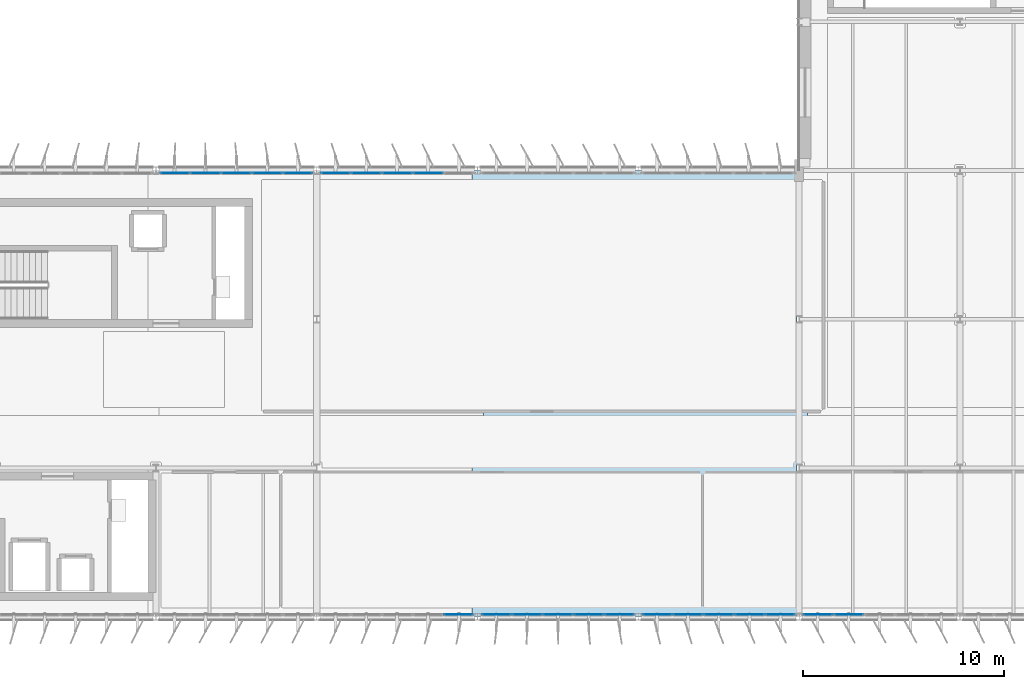
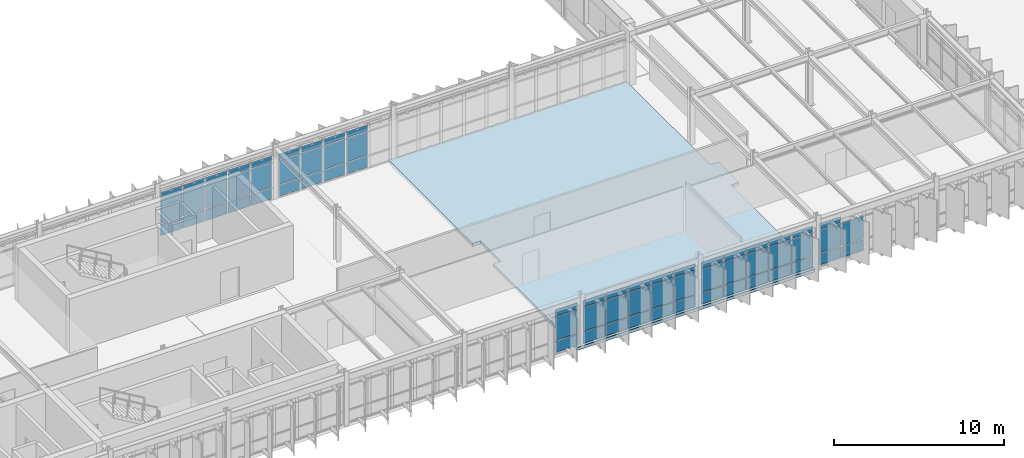
# One storey, part 27 of 45: 65 plates, 1 slab, 6 elements without a shape of their own.
"""IFC4 building model written with IfcOpenShell, lengths in metres."""

from ifc_helpers import new_model, si_unit, direction, frame, origin, origin_2d, place, context, subcontext, project, spatial, polyline, rectangle, outline, extrude, material, layer, layer_set, type_object, element, aggregate, save


model = new_model("IFC4")

# Units and contexts
model_context = context("Model", 3, precision=1e-05, world=origin(), true_north=direction((0.0, 1.0)))
body_context = subcontext(model_context, "Body", "Model", "MODEL_VIEW")
ifc_project = project(units=[si_unit("LENGTHUNIT", "METRE"), si_unit("AREAUNIT", "SQUARE_METRE"), si_unit("VOLUMEUNIT", "CUBIC_METRE"), si_unit("PLANEANGLEUNIT", "RADIAN"), si_unit("MASSUNIT", "GRAM", prefix="KILO")], contexts=[model_context])

# Site, building, storey
site_placement = place(None, origin())
site = spatial("IfcSite", under=ifc_project, at=site_placement, CompositionType="ELEMENT")
building_placement = place(site_placement, origin())
building = spatial("IfcBuilding", under=site, at=building_placement, Name="Valkorina Park Police Headquarters", CompositionType="ELEMENT")
storey_placement = place(building_placement, frame((0.0, 0.0, 23.300048828125)))
storey = spatial("IfcBuildingStorey", under=building, at=storey_placement, Name="L06", CompositionType="ELEMENT", Elevation=23.300048828125)

# Curtain wall, plates
ifc_material_1 = material(Name="Thermally broken aluminium AW-6060", Category="aluminium")
ifc_layer_1 = layer(ifc_material_1, 0.18994140625)
ifc_layer_set_1 = layer_set([ifc_layer_1], Name="Thermally broken aluminium AW-6060")
curtain_wall_type_1 = type_object("IfcCurtainWallType", Name="CW-V5-7680x3220", PredefinedType="NOTDEFINED", material=ifc_layer_set_1)
curtain_wall_1_placement = place(storey_placement, origin())
curtain_wall_1 = element("IfcCurtainWall", 1, at=curtain_wall_1_placement, inside=storey, type_object=curtain_wall_type_1, Name="L06 Unitised Curtain Wall 106", PredefinedType="NOTDEFINED")
ifc_layer_2 = layer(ifc_material_1, 0.050048828125)
ifc_layer_set_2 = layer_set([ifc_layer_2], Name="Thermally broken aluminium AW-6060")
plate_type_1 = type_object("IfcPlateType", Name="PL-CWP-SPANDREL-50", PredefinedType="CURTAIN_PANEL", material=ifc_layer_set_2)
plate_1_placement = place(storey_placement, frame((49.74560546875, 59.080078125, 0.070068359375), z_axis=(0.0, 0.0, 1.0), x_axis=(1.0, 0.0, 0.0)))
plate_1 = element("IfcPlate", 2, at=plate_1_placement, type_object=plate_type_1, Name="CW-V5-768-322 panel 1.1", PredefinedType="CURTAIN_PANEL", context=body_context, shape_type="SweptSolid", body=[
    extrude(rectangle(XDim=1.430908203125, YDim=0.028076171875, at=origin_2d()), origin(), (0.0, 0.0, 1.0), 0.794921875),
])
plate_2_placement = place(storey_placement, frame((51.263916015625, 59.080078125, 0.070068359375), z_axis=(0.0, 0.0, 1.0), x_axis=(1.0, 0.0, 0.0)))
plate_2 = element("IfcPlate", 3, at=plate_2_placement, type_object=plate_type_1, Name="CW-V5-768-322 panel 2.1", PredefinedType="CURTAIN_PANEL", context=body_context, shape_type="SweptSolid", body=[
    extrude(rectangle(XDim=1.466064453125, YDim=0.028076171875, at=origin_2d()), origin(), (0.0, 0.0, 1.0), 0.794921875),
])
plate_3_placement = place(storey_placement, frame((52.800048828125, 59.080078125, 0.070068359375), z_axis=(0.0, 0.0, 1.0), x_axis=(1.0, 0.0, 0.0)))
plate_3 = element("IfcPlate", 4, at=plate_3_placement, type_object=plate_type_1, Name="CW-V5-768-322 panel 3.1", PredefinedType="CURTAIN_PANEL", context=body_context, shape_type="SweptSolid", body=[
    extrude(rectangle(XDim=1.466064453125, YDim=0.028076171875, at=origin_2d()), origin(), (0.0, 0.0, 1.0), 0.794921875),
])
plate_4_placement = place(storey_placement, frame((54.3359375, 59.080078125, 0.070068359375), z_axis=(0.0, 0.0, 1.0), x_axis=(1.0, 0.0, 0.0)))
plate_4 = element("IfcPlate", 5, at=plate_4_placement, type_object=plate_type_1, Name="CW-V5-768-322 panel 4.1", PredefinedType="CURTAIN_PANEL", context=body_context, shape_type="SweptSolid", body=[
    extrude(rectangle(XDim=1.466064453125, YDim=0.028076171875, at=origin_2d()), origin(), (0.0, 0.0, 1.0), 0.794921875),
])
plate_5_placement = place(storey_placement, frame((55.8544921875, 59.080078125, 0.070068359375), z_axis=(0.0, 0.0, 1.0), x_axis=(1.0, 0.0, 0.0)))
plate_5 = element("IfcPlate", 6, at=plate_5_placement, type_object=plate_type_1, Name="CW-V5-768-322 panel 5.1", PredefinedType="CURTAIN_PANEL", context=body_context, shape_type="SweptSolid", body=[
    extrude(rectangle(XDim=1.430908203125, YDim=0.028076171875, at=origin_2d()), origin(), (0.0, 0.0, 1.0), 0.794921875),
])

ifc_layer_3 = layer(ifc_material_1, 0.18994140625)
ifc_layer_set_3 = layer_set([ifc_layer_3], Name="Thermally broken aluminium AW-6060")
curtain_wall_type_2 = type_object("IfcCurtainWallType", Name="CW-V5-7680x3170", PredefinedType="NOTDEFINED", material=ifc_layer_set_3)
curtain_wall_2_placement = place(storey_placement, origin())
curtain_wall_2 = element("IfcCurtainWall", 7, at=curtain_wall_2_placement, inside=storey, type_object=curtain_wall_type_2, Name="L06 Unitised Curtain Wall 107", PredefinedType="NOTDEFINED")
plate_6_placement = place(storey_placement, frame((57.74560546875, 59.080078125, 0.070068359375), z_axis=(0.0, 0.0, 1.0), x_axis=(1.0, 0.0, 0.0)))
plate_6 = element("IfcPlate", 8, at=plate_6_placement, type_object=plate_type_1, Name="CW-V5-768-317 panel 1.1", PredefinedType="CURTAIN_PANEL", context=body_context, shape_type="SweptSolid", body=[
    extrude(rectangle(XDim=1.430908203125, YDim=0.028076171875, at=origin_2d()), origin(), (0.0, 0.0, 1.0), 0.794921875),
])
plate_7_placement = place(storey_placement, frame((59.263916015625, 59.080078125, 0.070068359375), z_axis=(0.0, 0.0, 1.0), x_axis=(1.0, 0.0, 0.0)))
plate_7 = element("IfcPlate", 9, at=plate_7_placement, type_object=plate_type_1, Name="CW-V5-768-317 panel 2.1", PredefinedType="CURTAIN_PANEL", context=body_context, shape_type="SweptSolid", body=[
    extrude(rectangle(XDim=1.466064453125, YDim=0.028076171875, at=origin_2d()), origin(), (0.0, 0.0, 1.0), 0.794921875),
])
plate_8_placement = place(storey_placement, frame((60.800048828125, 59.080078125, 0.070068359375), z_axis=(0.0, 0.0, 1.0), x_axis=(1.0, 0.0, 0.0)))
plate_8 = element("IfcPlate", 10, at=plate_8_placement, type_object=plate_type_1, Name="CW-V5-768-317 panel 3.1", PredefinedType="CURTAIN_PANEL", context=body_context, shape_type="SweptSolid", body=[
    extrude(rectangle(XDim=1.466064453125, YDim=0.028076171875, at=origin_2d()), origin(), (0.0, 0.0, 1.0), 0.794921875),
])
plate_9_placement = place(storey_placement, frame((62.3359375, 59.080078125, 0.070068359375), z_axis=(0.0, 0.0, 1.0), x_axis=(1.0, 0.0, 0.0)))
plate_9 = element("IfcPlate", 11, at=plate_9_placement, type_object=plate_type_1, Name="CW-V5-768-317 panel 4.1", PredefinedType="CURTAIN_PANEL", context=body_context, shape_type="SweptSolid", body=[
    extrude(rectangle(XDim=1.466064453125, YDim=0.028076171875, at=origin_2d()), origin(), (0.0, 0.0, 1.0), 0.794921875),
])

ifc_layer_4 = layer(ifc_material_1, 0.18994140625)
ifc_layer_set_4 = layer_set([ifc_layer_4], Name="Thermally broken aluminium AW-6060")
curtain_wall_type_3 = type_object("IfcCurtainWallType", Name="CW-V5-7680x3110", PredefinedType="NOTDEFINED", material=ifc_layer_set_4)
curtain_wall_3_placement = place(storey_placement, origin())
curtain_wall_3 = element("IfcCurtainWall", 12, at=curtain_wall_3_placement, inside=storey, type_object=curtain_wall_type_3, Name="L06 Unitised Curtain Wall 122", PredefinedType="NOTDEFINED")
plate_10_placement = place(storey_placement, frame((83.263916015625, 37.1201171875, 0.070068359375), z_axis=(0.0, 0.0, 1.0), x_axis=(-1.0, 0.0, 0.0)))
plate_10 = element("IfcPlate", 13, at=plate_10_placement, type_object=plate_type_1, Name="CW-V5-768-311 panel 4.1", PredefinedType="CURTAIN_PANEL", context=body_context, shape_type="SweptSolid", body=[
    extrude(rectangle(XDim=1.466064453125, YDim=0.028076171875, at=origin_2d()), origin(), (0.0, 0.0, 1.0), 0.794921875),
])
plate_11_placement = place(storey_placement, frame((81.74560546875, 37.1201171875, 0.070068359375), z_axis=(0.0, 0.0, 1.0), x_axis=(-1.0, 0.0, 0.0)))
plate_11 = element("IfcPlate", 14, at=plate_11_placement, type_object=plate_type_1, Name="CW-V5-768-311 panel 5.1", PredefinedType="CURTAIN_PANEL", context=body_context, shape_type="SweptSolid", body=[
    extrude(rectangle(XDim=1.430908203125, YDim=0.028076171875, at=origin_2d()), origin(), (0.0, 0.0, 1.0), 0.794921875),
])

curtain_wall_4_placement = place(storey_placement, origin())
curtain_wall_4 = element("IfcCurtainWall", 15, at=curtain_wall_4_placement, inside=storey, type_object=curtain_wall_type_3, Name="L06 Unitised Curtain Wall 123", PredefinedType="NOTDEFINED")
plate_12_placement = place(storey_placement, frame((79.8544921875, 37.1201171875, 0.070068359375), z_axis=(0.0, 0.0, 1.0), x_axis=(-1.0, 0.0, 0.0)))
plate_12 = element("IfcPlate", 16, at=plate_12_placement, type_object=plate_type_1, Name="CW-V5-768-311 panel 1.1", PredefinedType="CURTAIN_PANEL", context=body_context, shape_type="SweptSolid", body=[
    extrude(rectangle(XDim=1.430908203125, YDim=0.028076171875, at=origin_2d()), origin(), (0.0, 0.0, 1.0), 0.794921875),
])
plate_13_placement = place(storey_placement, frame((78.3359375, 37.1201171875, 0.070068359375), z_axis=(0.0, 0.0, 1.0), x_axis=(-1.0, 0.0, 0.0)))
plate_13 = element("IfcPlate", 17, at=plate_13_placement, type_object=plate_type_1, Name="CW-V5-768-311 panel 2.1", PredefinedType="CURTAIN_PANEL", context=body_context, shape_type="SweptSolid", body=[
    extrude(rectangle(XDim=1.466064453125, YDim=0.028076171875, at=origin_2d()), origin(), (0.0, 0.0, 1.0), 0.794921875),
])
plate_14_placement = place(storey_placement, frame((76.800048828125, 37.1201171875, 0.070068359375), z_axis=(0.0, 0.0, 1.0), x_axis=(-1.0, 0.0, 0.0)))
plate_14 = element("IfcPlate", 18, at=plate_14_placement, type_object=plate_type_1, Name="CW-V5-768-311 panel 3.1", PredefinedType="CURTAIN_PANEL", context=body_context, shape_type="SweptSolid", body=[
    extrude(rectangle(XDim=1.466064453125, YDim=0.028076171875, at=origin_2d()), origin(), (0.0, 0.0, 1.0), 0.794921875),
])
plate_15_placement = place(storey_placement, frame((75.263916015625, 37.1201171875, 0.070068359375), z_axis=(0.0, 0.0, 1.0), x_axis=(-1.0, 0.0, 0.0)))
plate_15 = element("IfcPlate", 19, at=plate_15_placement, type_object=plate_type_1, Name="CW-V5-768-311 panel 4.1", PredefinedType="CURTAIN_PANEL", context=body_context, shape_type="SweptSolid", body=[
    extrude(rectangle(XDim=1.466064453125, YDim=0.028076171875, at=origin_2d()), origin(), (0.0, 0.0, 1.0), 0.794921875),
])
plate_16_placement = place(storey_placement, frame((73.74560546875, 37.1201171875, 0.070068359375), z_axis=(0.0, 0.0, 1.0), x_axis=(-1.0, 0.0, 0.0)))
plate_16 = element("IfcPlate", 20, at=plate_16_placement, type_object=plate_type_1, Name="CW-V5-768-311 panel 5.1", PredefinedType="CURTAIN_PANEL", context=body_context, shape_type="SweptSolid", body=[
    extrude(rectangle(XDim=1.430908203125, YDim=0.028076171875, at=origin_2d()), origin(), (0.0, 0.0, 1.0), 0.794921875),
])

curtain_wall_5_placement = place(storey_placement, origin())
curtain_wall_5 = element("IfcCurtainWall", 21, at=curtain_wall_5_placement, inside=storey, type_object=curtain_wall_type_2, Name="L06 Unitised Curtain Wall 124", PredefinedType="NOTDEFINED")
plate_17_placement = place(storey_placement, frame((71.8544921875, 37.1201171875, 0.070068359375), z_axis=(0.0, 0.0, 1.0), x_axis=(-1.0, 0.0, 0.0)))
plate_17 = element("IfcPlate", 22, at=plate_17_placement, type_object=plate_type_1, Name="CW-V5-768-317 panel 1.1", PredefinedType="CURTAIN_PANEL", context=body_context, shape_type="SweptSolid", body=[
    extrude(rectangle(XDim=1.430908203125, YDim=0.028076171875, at=origin_2d()), origin(), (0.0, 0.0, 1.0), 0.794921875),
])
plate_18_placement = place(storey_placement, frame((70.3359375, 37.1201171875, 0.070068359375), z_axis=(0.0, 0.0, 1.0), x_axis=(-1.0, 0.0, 0.0)))
plate_18 = element("IfcPlate", 23, at=plate_18_placement, type_object=plate_type_1, Name="CW-V5-768-317 panel 2.1", PredefinedType="CURTAIN_PANEL", context=body_context, shape_type="SweptSolid", body=[
    extrude(rectangle(XDim=1.466064453125, YDim=0.028076171875, at=origin_2d()), origin(), (0.0, 0.0, 1.0), 0.794921875),
])
plate_19_placement = place(storey_placement, frame((68.800048828125, 37.1201171875, 0.070068359375), z_axis=(0.0, 0.0, 1.0), x_axis=(-1.0, 0.0, 0.0)))
plate_19 = element("IfcPlate", 24, at=plate_19_placement, type_object=plate_type_1, Name="CW-V5-768-317 panel 3.1", PredefinedType="CURTAIN_PANEL", context=body_context, shape_type="SweptSolid", body=[
    extrude(rectangle(XDim=1.466064453125, YDim=0.028076171875, at=origin_2d()), origin(), (0.0, 0.0, 1.0), 0.794921875),
])
plate_20_placement = place(storey_placement, frame((67.263916015625, 37.1201171875, 0.070068359375), z_axis=(0.0, 0.0, 1.0), x_axis=(-1.0, 0.0, 0.0)))
plate_20 = element("IfcPlate", 25, at=plate_20_placement, type_object=plate_type_1, Name="CW-V5-768-317 panel 4.1", PredefinedType="CURTAIN_PANEL", context=body_context, shape_type="SweptSolid", body=[
    extrude(rectangle(XDim=1.466064453125, YDim=0.028076171875, at=origin_2d()), origin(), (0.0, 0.0, 1.0), 0.794921875),
])
plate_21_placement = place(storey_placement, frame((65.74560546875, 37.1201171875, 0.070068359375), z_axis=(0.0, 0.0, 1.0), x_axis=(-1.0, 0.0, 0.0)))
plate_21 = element("IfcPlate", 26, at=plate_21_placement, type_object=plate_type_1, Name="CW-V5-768-317 panel 5.1", PredefinedType="CURTAIN_PANEL", context=body_context, shape_type="SweptSolid", body=[
    extrude(rectangle(XDim=1.430908203125, YDim=0.028076171875, at=origin_2d()), origin(), (0.0, 0.0, 1.0), 0.794921875),
])

# Curtain wall, plate
curtain_wall_6_placement = place(storey_placement, origin())
curtain_wall_6 = element("IfcCurtainWall", 27, at=curtain_wall_6_placement, inside=storey, type_object=curtain_wall_type_2, Name="L06 Unitised Curtain Wall 125", PredefinedType="NOTDEFINED")
plate_22_placement = place(storey_placement, frame((63.8544921875, 37.1201171875, 0.070068359375), z_axis=(0.0, 0.0, 1.0), x_axis=(-1.0, 0.0, 0.0)))
plate_22 = element("IfcPlate", 28, at=plate_22_placement, type_object=plate_type_1, Name="CW-V5-768-317 panel 1.1", PredefinedType="CURTAIN_PANEL", context=body_context, shape_type="SweptSolid", body=[
    extrude(rectangle(XDim=1.430908203125, YDim=0.028076171875, at=origin_2d()), origin(), (0.0, 0.0, 1.0), 0.794921875),
])

# Plate
ifc_material_2 = material(Name="Triple low-E insulated glazing", Category="glass")
ifc_layer_5 = layer(ifc_material_2, 0.028076171875)
ifc_layer_set_5 = layer_set([ifc_layer_5], Name="Triple low-E insulated glazing")
plate_type_2 = type_object("IfcPlateType", Name="PL-CWP-VISION-28", PredefinedType="CURTAIN_PANEL", material=ifc_layer_set_5)
plate_23_placement = place(storey_placement, frame((49.74560546875, 59.080078125, 0.93505859375), z_axis=(0.0, 0.0, 1.0), x_axis=(1.0, 0.0, 0.0)))
plate_23 = element("IfcPlate", 29, at=plate_23_placement, type_object=plate_type_2, Name="CW-V5-768-322 panel 1.2", PredefinedType="CURTAIN_PANEL", context=body_context, shape_type="SweptSolid", body=[
    extrude(rectangle(XDim=1.430908203125, YDim=0.028076171875, at=origin_2d()), origin(), (0.0, 0.0, 1.0), 1.72998046875),
])

plate_24_placement = place(storey_placement, frame((49.74560546875, 59.080078125, 2.73486328125), z_axis=(0.0, 0.0, 1.0), x_axis=(1.0, 0.0, 0.0)))
plate_24 = element("IfcPlate", 30, at=plate_24_placement, type_object=plate_type_2, Name="CW-V5-768-322 panel 1.3", PredefinedType="CURTAIN_PANEL", context=body_context, shape_type="SweptSolid", body=[
    extrude(rectangle(XDim=1.430908203125, YDim=0.028076171875, at=origin_2d()), origin(), (0.0, 0.0, 1.0), 0.4150390625),
])

plate_25_placement = place(storey_placement, frame((51.263916015625, 59.080078125, 0.93505859375), z_axis=(0.0, 0.0, 1.0), x_axis=(1.0, 0.0, 0.0)))
plate_25 = element("IfcPlate", 31, at=plate_25_placement, type_object=plate_type_2, Name="CW-V5-768-322 panel 2.2", PredefinedType="CURTAIN_PANEL", context=body_context, shape_type="SweptSolid", body=[
    extrude(rectangle(XDim=1.466064453125, YDim=0.028076171875, at=origin_2d()), origin(), (0.0, 0.0, 1.0), 1.72998046875),
])

plate_26_placement = place(storey_placement, frame((51.263916015625, 59.080078125, 2.73486328125), z_axis=(0.0, 0.0, 1.0), x_axis=(1.0, 0.0, 0.0)))
plate_26 = element("IfcPlate", 32, at=plate_26_placement, type_object=plate_type_2, Name="CW-V5-768-322 panel 2.3", PredefinedType="CURTAIN_PANEL", context=body_context, shape_type="SweptSolid", body=[
    extrude(rectangle(XDim=1.466064453125, YDim=0.028076171875, at=origin_2d()), origin(), (0.0, 0.0, 1.0), 0.4150390625),
])

plate_27_placement = place(storey_placement, frame((52.800048828125, 59.080078125, 0.93505859375), z_axis=(0.0, 0.0, 1.0), x_axis=(1.0, 0.0, 0.0)))
plate_27 = element("IfcPlate", 33, at=plate_27_placement, type_object=plate_type_2, Name="CW-V5-768-322 panel 3.2", PredefinedType="CURTAIN_PANEL", context=body_context, shape_type="SweptSolid", body=[
    extrude(rectangle(XDim=1.466064453125, YDim=0.028076171875, at=origin_2d()), origin(), (0.0, 0.0, 1.0), 1.72998046875),
])

plate_28_placement = place(storey_placement, frame((52.800048828125, 59.080078125, 2.73486328125), z_axis=(0.0, 0.0, 1.0), x_axis=(1.0, 0.0, 0.0)))
plate_28 = element("IfcPlate", 34, at=plate_28_placement, type_object=plate_type_2, Name="CW-V5-768-322 panel 3.3", PredefinedType="CURTAIN_PANEL", context=body_context, shape_type="SweptSolid", body=[
    extrude(rectangle(XDim=1.466064453125, YDim=0.028076171875, at=origin_2d()), origin(), (0.0, 0.0, 1.0), 0.4150390625),
])

plate_29_placement = place(storey_placement, frame((54.3359375, 59.080078125, 0.93505859375), z_axis=(0.0, 0.0, 1.0), x_axis=(1.0, 0.0, 0.0)))
plate_29 = element("IfcPlate", 35, at=plate_29_placement, type_object=plate_type_2, Name="CW-V5-768-322 panel 4.2", PredefinedType="CURTAIN_PANEL", context=body_context, shape_type="SweptSolid", body=[
    extrude(rectangle(XDim=1.466064453125, YDim=0.028076171875, at=origin_2d()), origin(), (0.0, 0.0, 1.0), 1.72998046875),
])

plate_30_placement = place(storey_placement, frame((54.3359375, 59.080078125, 2.73486328125), z_axis=(0.0, 0.0, 1.0), x_axis=(1.0, 0.0, 0.0)))
plate_30 = element("IfcPlate", 36, at=plate_30_placement, type_object=plate_type_2, Name="CW-V5-768-322 panel 4.3", PredefinedType="CURTAIN_PANEL", context=body_context, shape_type="SweptSolid", body=[
    extrude(rectangle(XDim=1.466064453125, YDim=0.028076171875, at=origin_2d()), origin(), (0.0, 0.0, 1.0), 0.4150390625),
])

plate_31_placement = place(storey_placement, frame((55.8544921875, 59.080078125, 0.93505859375), z_axis=(0.0, 0.0, 1.0), x_axis=(1.0, 0.0, 0.0)))
plate_31 = element("IfcPlate", 37, at=plate_31_placement, type_object=plate_type_2, Name="CW-V5-768-322 panel 5.2", PredefinedType="CURTAIN_PANEL", context=body_context, shape_type="SweptSolid", body=[
    extrude(rectangle(XDim=1.430908203125, YDim=0.028076171875, at=origin_2d()), origin(), (0.0, 0.0, 1.0), 1.72998046875),
])

plate_32_placement = place(storey_placement, frame((55.8544921875, 59.080078125, 2.73486328125), z_axis=(0.0, 0.0, 1.0), x_axis=(1.0, 0.0, 0.0)))
plate_32 = element("IfcPlate", 38, at=plate_32_placement, type_object=plate_type_2, Name="CW-V5-768-322 panel 5.3", PredefinedType="CURTAIN_PANEL", context=body_context, shape_type="SweptSolid", body=[
    extrude(rectangle(XDim=1.430908203125, YDim=0.028076171875, at=origin_2d()), origin(), (0.0, 0.0, 1.0), 0.4150390625),
])

aggregate(curtain_wall_1, [plate_1, plate_23, plate_24, plate_2, plate_25, plate_26, plate_3, plate_27, plate_28, plate_4, plate_29, plate_30, plate_5, plate_31, plate_32])

plate_33_placement = place(storey_placement, frame((57.74560546875, 59.080078125, 0.93505859375), z_axis=(0.0, 0.0, 1.0), x_axis=(1.0, 0.0, 0.0)))
plate_33 = element("IfcPlate", 39, at=plate_33_placement, type_object=plate_type_2, Name="CW-V5-768-317 panel 1.2", PredefinedType="CURTAIN_PANEL", context=body_context, shape_type="SweptSolid", body=[
    extrude(rectangle(XDim=1.430908203125, YDim=0.028076171875, at=origin_2d()), origin(), (0.0, 0.0, 1.0), 1.679931640625),
])

plate_34_placement = place(storey_placement, frame((57.74560546875, 59.080078125, 2.684814453125), z_axis=(0.0, 0.0, 1.0), x_axis=(1.0, 0.0, 0.0)))
plate_34 = element("IfcPlate", 40, at=plate_34_placement, type_object=plate_type_2, Name="CW-V5-768-317 panel 1.3", PredefinedType="CURTAIN_PANEL", context=body_context, shape_type="SweptSolid", body=[
    extrude(rectangle(XDim=1.430908203125, YDim=0.028076171875, at=origin_2d()), origin(), (0.0, 0.0, 1.0), 0.4150390625),
])

plate_35_placement = place(storey_placement, frame((59.263916015625, 59.080078125, 0.93505859375), z_axis=(0.0, 0.0, 1.0), x_axis=(1.0, 0.0, 0.0)))
plate_35 = element("IfcPlate", 41, at=plate_35_placement, type_object=plate_type_2, Name="CW-V5-768-317 panel 2.2", PredefinedType="CURTAIN_PANEL", context=body_context, shape_type="SweptSolid", body=[
    extrude(rectangle(XDim=1.466064453125, YDim=0.028076171875, at=origin_2d()), origin(), (0.0, 0.0, 1.0), 1.679931640625),
])

plate_36_placement = place(storey_placement, frame((59.263916015625, 59.080078125, 2.684814453125), z_axis=(0.0, 0.0, 1.0), x_axis=(1.0, 0.0, 0.0)))
plate_36 = element("IfcPlate", 42, at=plate_36_placement, type_object=plate_type_2, Name="CW-V5-768-317 panel 2.3", PredefinedType="CURTAIN_PANEL", context=body_context, shape_type="SweptSolid", body=[
    extrude(rectangle(XDim=1.466064453125, YDim=0.028076171875, at=origin_2d()), origin(), (0.0, 0.0, 1.0), 0.4150390625),
])

plate_37_placement = place(storey_placement, frame((60.800048828125, 59.080078125, 0.93505859375), z_axis=(0.0, 0.0, 1.0), x_axis=(1.0, 0.0, 0.0)))
plate_37 = element("IfcPlate", 43, at=plate_37_placement, type_object=plate_type_2, Name="CW-V5-768-317 panel 3.2", PredefinedType="CURTAIN_PANEL", context=body_context, shape_type="SweptSolid", body=[
    extrude(rectangle(XDim=1.466064453125, YDim=0.028076171875, at=origin_2d()), origin(), (0.0, 0.0, 1.0), 1.679931640625),
])

plate_38_placement = place(storey_placement, frame((60.800048828125, 59.080078125, 2.684814453125), z_axis=(0.0, 0.0, 1.0), x_axis=(1.0, 0.0, 0.0)))
plate_38 = element("IfcPlate", 44, at=plate_38_placement, type_object=plate_type_2, Name="CW-V5-768-317 panel 3.3", PredefinedType="CURTAIN_PANEL", context=body_context, shape_type="SweptSolid", body=[
    extrude(rectangle(XDim=1.466064453125, YDim=0.028076171875, at=origin_2d()), origin(), (0.0, 0.0, 1.0), 0.4150390625),
])

plate_39_placement = place(storey_placement, frame((62.3359375, 59.080078125, 0.93505859375), z_axis=(0.0, 0.0, 1.0), x_axis=(1.0, 0.0, 0.0)))
plate_39 = element("IfcPlate", 45, at=plate_39_placement, type_object=plate_type_2, Name="CW-V5-768-317 panel 4.2", PredefinedType="CURTAIN_PANEL", context=body_context, shape_type="SweptSolid", body=[
    extrude(rectangle(XDim=1.466064453125, YDim=0.028076171875, at=origin_2d()), origin(), (0.0, 0.0, 1.0), 1.679931640625),
])

plate_40_placement = place(storey_placement, frame((62.3359375, 59.080078125, 2.684814453125), z_axis=(0.0, 0.0, 1.0), x_axis=(1.0, 0.0, 0.0)))
plate_40 = element("IfcPlate", 46, at=plate_40_placement, type_object=plate_type_2, Name="CW-V5-768-317 panel 4.3", PredefinedType="CURTAIN_PANEL", context=body_context, shape_type="SweptSolid", body=[
    extrude(rectangle(XDim=1.466064453125, YDim=0.028076171875, at=origin_2d()), origin(), (0.0, 0.0, 1.0), 0.4150390625),
])

aggregate(curtain_wall_2, [plate_6, plate_33, plate_34, plate_7, plate_35, plate_36, plate_8, plate_37, plate_38, plate_9, plate_39, plate_40])

plate_41_placement = place(storey_placement, frame((83.263916015625, 37.1201171875, 0.934814453125), z_axis=(0.0, 0.0, 1.0), x_axis=(-1.0, 0.0, 0.0)))
plate_41 = element("IfcPlate", 47, at=plate_41_placement, type_object=plate_type_2, Name="CW-V5-768-311 panel 4.2", PredefinedType="CURTAIN_PANEL", context=body_context, shape_type="SweptSolid", body=[
    extrude(rectangle(XDim=1.466064453125, YDim=0.028076171875, at=origin_2d()), origin(), (0.0, 0.0, 1.0), 1.6201171875),
])

plate_42_placement = place(storey_placement, frame((81.74560546875, 37.1201171875, 0.934814453125), z_axis=(0.0, 0.0, 1.0), x_axis=(-1.0, 0.0, 0.0)))
plate_42 = element("IfcPlate", 48, at=plate_42_placement, type_object=plate_type_2, Name="CW-V5-768-311 panel 5.2", PredefinedType="CURTAIN_PANEL", context=body_context, shape_type="SweptSolid", body=[
    extrude(rectangle(XDim=1.430908203125, YDim=0.028076171875, at=origin_2d()), origin(), (0.0, 0.0, 1.0), 1.6201171875),
])

plate_43_placement = place(storey_placement, frame((81.74560546875, 37.1201171875, 2.625), z_axis=(0.0, 0.0, 1.0), x_axis=(-1.0, 0.0, 0.0)))
plate_43 = element("IfcPlate", 49, at=plate_43_placement, type_object=plate_type_2, Name="CW-V5-768-311 panel 5.3", PredefinedType="CURTAIN_PANEL", context=body_context, shape_type="SweptSolid", body=[
    extrude(rectangle(XDim=1.430908203125, YDim=0.028076171875, at=origin_2d()), origin(), (0.0, 0.0, 1.0), 0.4150390625),
])

aggregate(curtain_wall_3, [plate_10, plate_41, plate_11, plate_42, plate_43])

plate_44_placement = place(storey_placement, frame((79.8544921875, 37.1201171875, 0.934814453125), z_axis=(0.0, 0.0, 1.0), x_axis=(-1.0, 0.0, 0.0)))
plate_44 = element("IfcPlate", 50, at=plate_44_placement, type_object=plate_type_2, Name="CW-V5-768-311 panel 1.2", PredefinedType="CURTAIN_PANEL", context=body_context, shape_type="SweptSolid", body=[
    extrude(rectangle(XDim=1.430908203125, YDim=0.028076171875, at=origin_2d()), origin(), (0.0, 0.0, 1.0), 1.6201171875),
])

plate_45_placement = place(storey_placement, frame((79.8544921875, 37.1201171875, 2.625), z_axis=(0.0, 0.0, 1.0), x_axis=(-1.0, 0.0, 0.0)))
plate_45 = element("IfcPlate", 51, at=plate_45_placement, type_object=plate_type_2, Name="CW-V5-768-311 panel 1.3", PredefinedType="CURTAIN_PANEL", context=body_context, shape_type="SweptSolid", body=[
    extrude(rectangle(XDim=1.430908203125, YDim=0.028076171875, at=origin_2d()), origin(), (0.0, 0.0, 1.0), 0.4150390625),
])

plate_46_placement = place(storey_placement, frame((78.3359375, 37.1201171875, 0.934814453125), z_axis=(0.0, 0.0, 1.0), x_axis=(-1.0, 0.0, 0.0)))
plate_46 = element("IfcPlate", 52, at=plate_46_placement, type_object=plate_type_2, Name="CW-V5-768-311 panel 2.2", PredefinedType="CURTAIN_PANEL", context=body_context, shape_type="SweptSolid", body=[
    extrude(rectangle(XDim=1.466064453125, YDim=0.028076171875, at=origin_2d()), origin(), (0.0, 0.0, 1.0), 1.6201171875),
])

plate_47_placement = place(storey_placement, frame((78.3359375, 37.1201171875, 2.625), z_axis=(0.0, 0.0, 1.0), x_axis=(-1.0, 0.0, 0.0)))
plate_47 = element("IfcPlate", 53, at=plate_47_placement, type_object=plate_type_2, Name="CW-V5-768-311 panel 2.3", PredefinedType="CURTAIN_PANEL", context=body_context, shape_type="SweptSolid", body=[
    extrude(rectangle(XDim=1.466064453125, YDim=0.028076171875, at=origin_2d()), origin(), (0.0, 0.0, 1.0), 0.4150390625),
])

plate_48_placement = place(storey_placement, frame((76.800048828125, 37.1201171875, 0.934814453125), z_axis=(0.0, 0.0, 1.0), x_axis=(-1.0, 0.0, 0.0)))
plate_48 = element("IfcPlate", 54, at=plate_48_placement, type_object=plate_type_2, Name="CW-V5-768-311 panel 3.2", PredefinedType="CURTAIN_PANEL", context=body_context, shape_type="SweptSolid", body=[
    extrude(rectangle(XDim=1.466064453125, YDim=0.028076171875, at=origin_2d()), origin(), (0.0, 0.0, 1.0), 1.6201171875),
])

plate_49_placement = place(storey_placement, frame((76.800048828125, 37.1201171875, 2.625), z_axis=(0.0, 0.0, 1.0), x_axis=(-1.0, 0.0, 0.0)))
plate_49 = element("IfcPlate", 55, at=plate_49_placement, type_object=plate_type_2, Name="CW-V5-768-311 panel 3.3", PredefinedType="CURTAIN_PANEL", context=body_context, shape_type="SweptSolid", body=[
    extrude(rectangle(XDim=1.466064453125, YDim=0.028076171875, at=origin_2d()), origin(), (0.0, 0.0, 1.0), 0.4150390625),
])

plate_50_placement = place(storey_placement, frame((75.263916015625, 37.1201171875, 0.934814453125), z_axis=(0.0, 0.0, 1.0), x_axis=(-1.0, 0.0, 0.0)))
plate_50 = element("IfcPlate", 56, at=plate_50_placement, type_object=plate_type_2, Name="CW-V5-768-311 panel 4.2", PredefinedType="CURTAIN_PANEL", context=body_context, shape_type="SweptSolid", body=[
    extrude(rectangle(XDim=1.466064453125, YDim=0.028076171875, at=origin_2d()), origin(), (0.0, 0.0, 1.0), 1.6201171875),
])

plate_51_placement = place(storey_placement, frame((75.263916015625, 37.1201171875, 2.625), z_axis=(0.0, 0.0, 1.0), x_axis=(-1.0, 0.0, 0.0)))
plate_51 = element("IfcPlate", 57, at=plate_51_placement, type_object=plate_type_2, Name="CW-V5-768-311 panel 4.3", PredefinedType="CURTAIN_PANEL", context=body_context, shape_type="SweptSolid", body=[
    extrude(rectangle(XDim=1.466064453125, YDim=0.028076171875, at=origin_2d()), origin(), (0.0, 0.0, 1.0), 0.4150390625),
])

plate_52_placement = place(storey_placement, frame((73.74560546875, 37.1201171875, 0.934814453125), z_axis=(0.0, 0.0, 1.0), x_axis=(-1.0, 0.0, 0.0)))
plate_52 = element("IfcPlate", 58, at=plate_52_placement, type_object=plate_type_2, Name="CW-V5-768-311 panel 5.2", PredefinedType="CURTAIN_PANEL", context=body_context, shape_type="SweptSolid", body=[
    extrude(rectangle(XDim=1.430908203125, YDim=0.028076171875, at=origin_2d()), origin(), (0.0, 0.0, 1.0), 1.6201171875),
])

plate_53_placement = place(storey_placement, frame((73.74560546875, 37.1201171875, 2.625), z_axis=(0.0, 0.0, 1.0), x_axis=(-1.0, 0.0, 0.0)))
plate_53 = element("IfcPlate", 59, at=plate_53_placement, type_object=plate_type_2, Name="CW-V5-768-311 panel 5.3", PredefinedType="CURTAIN_PANEL", context=body_context, shape_type="SweptSolid", body=[
    extrude(rectangle(XDim=1.430908203125, YDim=0.028076171875, at=origin_2d()), origin(), (0.0, 0.0, 1.0), 0.4150390625),
])

aggregate(curtain_wall_4, [plate_12, plate_44, plate_45, plate_13, plate_46, plate_47, plate_14, plate_48, plate_49, plate_15, plate_50, plate_51, plate_16, plate_52, plate_53])

plate_54_placement = place(storey_placement, frame((71.8544921875, 37.1201171875, 0.93505859375), z_axis=(0.0, 0.0, 1.0), x_axis=(-1.0, 0.0, 0.0)))
plate_54 = element("IfcPlate", 60, at=plate_54_placement, type_object=plate_type_2, Name="CW-V5-768-317 panel 1.2", PredefinedType="CURTAIN_PANEL", context=body_context, shape_type="SweptSolid", body=[
    extrude(rectangle(XDim=1.430908203125, YDim=0.028076171875, at=origin_2d()), origin(), (0.0, 0.0, 1.0), 1.679931640625),
])

plate_55_placement = place(storey_placement, frame((71.8544921875, 37.1201171875, 2.684814453125), z_axis=(0.0, 0.0, 1.0), x_axis=(-1.0, 0.0, 0.0)))
plate_55 = element("IfcPlate", 61, at=plate_55_placement, type_object=plate_type_2, Name="CW-V5-768-317 panel 1.3", PredefinedType="CURTAIN_PANEL", context=body_context, shape_type="SweptSolid", body=[
    extrude(rectangle(XDim=1.430908203125, YDim=0.028076171875, at=origin_2d()), origin(), (0.0, 0.0, 1.0), 0.4150390625),
])

plate_56_placement = place(storey_placement, frame((70.3359375, 37.1201171875, 0.93505859375), z_axis=(0.0, 0.0, 1.0), x_axis=(-1.0, 0.0, 0.0)))
plate_56 = element("IfcPlate", 62, at=plate_56_placement, type_object=plate_type_2, Name="CW-V5-768-317 panel 2.2", PredefinedType="CURTAIN_PANEL", context=body_context, shape_type="SweptSolid", body=[
    extrude(rectangle(XDim=1.466064453125, YDim=0.028076171875, at=origin_2d()), origin(), (0.0, 0.0, 1.0), 1.679931640625),
])

plate_57_placement = place(storey_placement, frame((70.3359375, 37.1201171875, 2.684814453125), z_axis=(0.0, 0.0, 1.0), x_axis=(-1.0, 0.0, 0.0)))
plate_57 = element("IfcPlate", 63, at=plate_57_placement, type_object=plate_type_2, Name="CW-V5-768-317 panel 2.3", PredefinedType="CURTAIN_PANEL", context=body_context, shape_type="SweptSolid", body=[
    extrude(rectangle(XDim=1.466064453125, YDim=0.028076171875, at=origin_2d()), origin(), (0.0, 0.0, 1.0), 0.4150390625),
])

plate_58_placement = place(storey_placement, frame((68.800048828125, 37.1201171875, 0.93505859375), z_axis=(0.0, 0.0, 1.0), x_axis=(-1.0, 0.0, 0.0)))
plate_58 = element("IfcPlate", 64, at=plate_58_placement, type_object=plate_type_2, Name="CW-V5-768-317 panel 3.2", PredefinedType="CURTAIN_PANEL", context=body_context, shape_type="SweptSolid", body=[
    extrude(rectangle(XDim=1.466064453125, YDim=0.028076171875, at=origin_2d()), origin(), (0.0, 0.0, 1.0), 1.679931640625),
])

plate_59_placement = place(storey_placement, frame((68.800048828125, 37.1201171875, 2.684814453125), z_axis=(0.0, 0.0, 1.0), x_axis=(-1.0, 0.0, 0.0)))
plate_59 = element("IfcPlate", 65, at=plate_59_placement, type_object=plate_type_2, Name="CW-V5-768-317 panel 3.3", PredefinedType="CURTAIN_PANEL", context=body_context, shape_type="SweptSolid", body=[
    extrude(rectangle(XDim=1.466064453125, YDim=0.028076171875, at=origin_2d()), origin(), (0.0, 0.0, 1.0), 0.4150390625),
])

plate_60_placement = place(storey_placement, frame((67.263916015625, 37.1201171875, 0.93505859375), z_axis=(0.0, 0.0, 1.0), x_axis=(-1.0, 0.0, 0.0)))
plate_60 = element("IfcPlate", 66, at=plate_60_placement, type_object=plate_type_2, Name="CW-V5-768-317 panel 4.2", PredefinedType="CURTAIN_PANEL", context=body_context, shape_type="SweptSolid", body=[
    extrude(rectangle(XDim=1.466064453125, YDim=0.028076171875, at=origin_2d()), origin(), (0.0, 0.0, 1.0), 1.679931640625),
])

plate_61_placement = place(storey_placement, frame((67.263916015625, 37.1201171875, 2.684814453125), z_axis=(0.0, 0.0, 1.0), x_axis=(-1.0, 0.0, 0.0)))
plate_61 = element("IfcPlate", 67, at=plate_61_placement, type_object=plate_type_2, Name="CW-V5-768-317 panel 4.3", PredefinedType="CURTAIN_PANEL", context=body_context, shape_type="SweptSolid", body=[
    extrude(rectangle(XDim=1.466064453125, YDim=0.028076171875, at=origin_2d()), origin(), (0.0, 0.0, 1.0), 0.4150390625),
])

plate_62_placement = place(storey_placement, frame((65.74560546875, 37.1201171875, 0.93505859375), z_axis=(0.0, 0.0, 1.0), x_axis=(-1.0, 0.0, 0.0)))
plate_62 = element("IfcPlate", 68, at=plate_62_placement, type_object=plate_type_2, Name="CW-V5-768-317 panel 5.2", PredefinedType="CURTAIN_PANEL", context=body_context, shape_type="SweptSolid", body=[
    extrude(rectangle(XDim=1.430908203125, YDim=0.028076171875, at=origin_2d()), origin(), (0.0, 0.0, 1.0), 1.679931640625),
])

plate_63_placement = place(storey_placement, frame((65.74560546875, 37.1201171875, 2.684814453125), z_axis=(0.0, 0.0, 1.0), x_axis=(-1.0, 0.0, 0.0)))
plate_63 = element("IfcPlate", 69, at=plate_63_placement, type_object=plate_type_2, Name="CW-V5-768-317 panel 5.3", PredefinedType="CURTAIN_PANEL", context=body_context, shape_type="SweptSolid", body=[
    extrude(rectangle(XDim=1.430908203125, YDim=0.028076171875, at=origin_2d()), origin(), (0.0, 0.0, 1.0), 0.4150390625),
])

aggregate(curtain_wall_5, [plate_17, plate_54, plate_55, plate_18, plate_56, plate_57, plate_19, plate_58, plate_59, plate_20, plate_60, plate_61, plate_21, plate_62, plate_63])

plate_64_placement = place(storey_placement, frame((63.8544921875, 37.1201171875, 0.93505859375), z_axis=(0.0, 0.0, 1.0), x_axis=(-1.0, 0.0, 0.0)))
plate_64 = element("IfcPlate", 70, at=plate_64_placement, type_object=plate_type_2, Name="CW-V5-768-317 panel 1.2", PredefinedType="CURTAIN_PANEL", context=body_context, shape_type="SweptSolid", body=[
    extrude(rectangle(XDim=1.430908203125, YDim=0.028076171875, at=origin_2d()), origin(), (0.0, 0.0, 1.0), 1.679931640625),
])

plate_65_placement = place(storey_placement, frame((63.8544921875, 37.1201171875, 2.684814453125), z_axis=(0.0, 0.0, 1.0), x_axis=(-1.0, 0.0, 0.0)))
plate_65 = element("IfcPlate", 71, at=plate_65_placement, type_object=plate_type_2, Name="CW-V5-768-317 panel 1.3", PredefinedType="CURTAIN_PANEL", context=body_context, shape_type="SweptSolid", body=[
    extrude(rectangle(XDim=1.430908203125, YDim=0.028076171875, at=origin_2d()), origin(), (0.0, 0.0, 1.0), 0.4150390625),
])

aggregate(curtain_wall_6, [plate_22, plate_64, plate_65])

# Slab
ifc_material_3 = material(Name="Concrete C35/45", Category="concrete")
ifc_layer_6 = layer(ifc_material_3, 0.219970703125)
ifc_layer_set_6 = layer_set([ifc_layer_6], Name="Concrete C35/45")
slab_type = type_object("IfcSlabType", Name="SL-COMP-OFF-150", PredefinedType="FLOOR", material=ifc_layer_set_6)
slab_placement = place(storey_placement, frame((0.0, 0.0, -0.219970703125)))
element("IfcSlab", 72, at=slab_placement, inside=storey, type_object=slab_type, Name="L06 Structural Floor Slab 103", PredefinedType="FLOOR", context=body_context, shape_type="SweptSolid", body=[
    extrude(outline(polyline([(81.216796875, 49.2958984375), (80.666748046875, 49.2958984375), (80.666748046875, 59.19189453125), (64.533203125, 59.19189453125), (64.533203125, 49.2958984375), (65.083251953125, 49.2958984375), (65.083251953125, 46.89599609375), (64.533203125, 46.89599609375), (64.533203125, 37.0), (80.666748046875, 37.0), (80.666748046875, 46.89599609375), (81.216796875, 46.89599609375), (81.216796875, 49.2958984375)])), origin(), (0.0, 0.0, 1.0), 0.219970703125),
])

save(model, "model.ifc")
